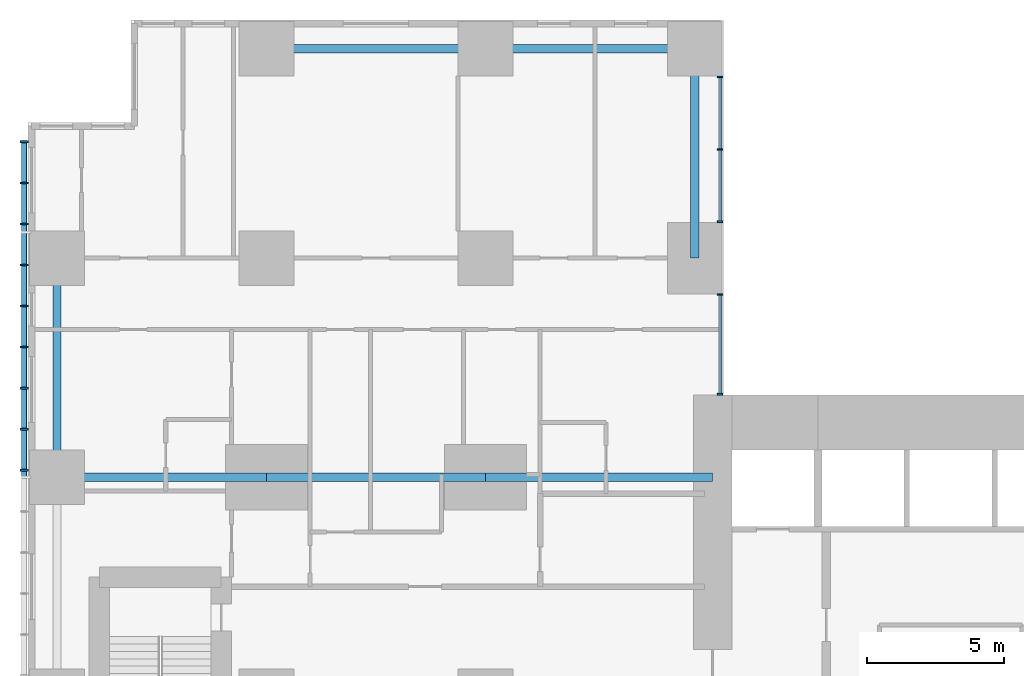
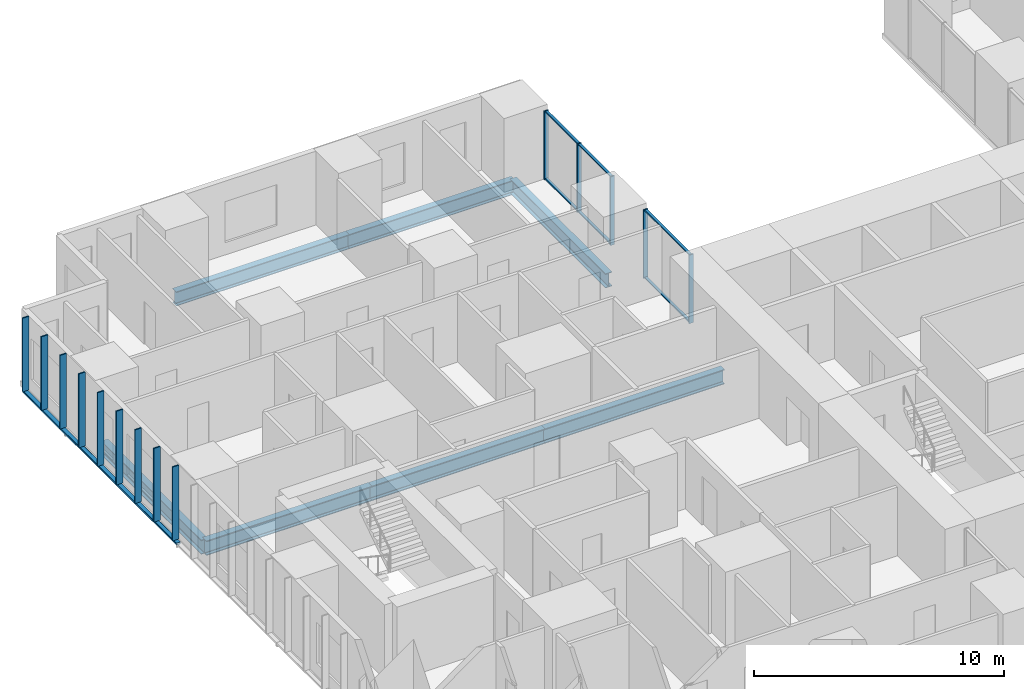
# One storey, part 4 of 20: 21 members, 7 beams, 2 elements without a shape of their own.
"""IFC4 building model written with IfcOpenShell, lengths in metres."""

import ifcopenshell
import ifcopenshell.guid

model = None  # the IFC model being written
_history = None  # IfcOwnerHistory: only IFC2X3 demands one
_inside = {}  # id of a spatial element -> (the spatial element, [elements in it])
_under = {}  # id of a project, library or spatial element -> (it, [spatial elements below it])
_declared = {}  # id of a project -> (the project, [libraries it declares])
_typed = {}  # id of a type object -> (the type object, [elements of that type])
_made_of = {}  # id of a material, layer set ... -> (it, [elements and type objects made of it])


def new_model(schema):
    """Start an empty IFC model of exactly this schema.

    Asked for "IFC4X3", IfcOpenShell would pick the latest addendum, in which some entities
    have other attributes; the version numbers below select the first issue.
    IFC2X3 requires an IfcOwnerHistory on every rooted entity: one is made here for all.
    """
    global model, _history
    if schema == "IFC4X3":
        model = ifcopenshell.file(schema_version=(4, 3, 0, 0))
    else:
        model = ifcopenshell.file(schema=schema)
    _inside.clear()
    _under.clear()
    _declared.clear()
    _typed.clear()
    _made_of.clear()
    _history = None
    if model.schema == "IFC2X3":
        org = make("IfcOrganization", Name="unknown")
        user = make(
            "IfcPersonAndOrganization",
            ThePerson=make("IfcPerson", FamilyName="unknown"),
            TheOrganization=org,
        )
        app = make(
            "IfcApplication",
            ApplicationDeveloper=org,
            Version="unknown",
            ApplicationFullName="unknown",
            ApplicationIdentifier="unknown",
        )
        _history = make(
            "IfcOwnerHistory",
            OwningUser=user,
            OwningApplication=app,
            ChangeAction="ADDED",
            CreationDate=0,
        )
    return model


def make(cls, **values):
    """One entity of the class cls with the attributes given. An attribute that is None is left unset."""
    return model.create_entity(
        cls, **{name: value for name, value in values.items() if value is not None}
    )


def rooted(cls, **values):
    """An entity with a GlobalId (a new one), such as an element, a storey or a relation."""
    return make(cls, GlobalId=ifcopenshell.guid.new(), OwnerHistory=_history, **values)


def si_unit(unit_type, name, prefix=None):
    """IfcSIUnit, for example si_unit("LENGTHUNIT", "METRE", prefix="MILLI")."""
    return make("IfcSIUnit", UnitType=unit_type, Prefix=prefix, Name=name)


def assignment(units):
    """IfcUnitAssignment: the units of a project."""
    return None if units is None else make("IfcUnitAssignment", Units=units)


def point(xyz):
    """IfcCartesianPoint."""
    return None if xyz is None else make("IfcCartesianPoint", Coordinates=xyz)


def direction(xyz):
    """IfcDirection."""
    return None if xyz is None else make("IfcDirection", DirectionRatios=xyz)


def frame(location, z_axis=None, x_axis=None):
    """IfcAxis2Placement3D, a coordinate frame: its origin and axes. An axis left out is left unset."""
    return make(
        "IfcAxis2Placement3D",
        Location=point(location),
        Axis=direction(z_axis),
        RefDirection=direction(x_axis),
    )


def frame_2d(location, x_axis=None):
    """IfcAxis2Placement2D, a coordinate frame in the plane: its origin and x axis."""
    return make(
        "IfcAxis2Placement2D", Location=point(location), RefDirection=direction(x_axis)
    )


def origin():
    """The frame at (0, 0, 0) with its axes left unset."""
    return frame((0.0, 0.0, 0.0))


def origin_2d():
    """The frame at (0, 0) in the plane with its x axis left unset."""
    return frame_2d((0.0, 0.0))


def place(relative_to, where):
    """IfcLocalPlacement: puts the frame where relative to a parent placement (None: the world)."""
    return make(
        "IfcLocalPlacement", PlacementRelTo=relative_to, RelativePlacement=where
    )


def context(
    kind, dimensions, precision=None, world=None, true_north=None, identifier=None
):
    """IfcGeometricRepresentationContext, for example the 3D "Model" context."""
    return make(
        "IfcGeometricRepresentationContext",
        ContextIdentifier=identifier,
        ContextType=kind,
        CoordinateSpaceDimension=dimensions,
        Precision=precision,
        WorldCoordinateSystem=world,
        TrueNorth=true_north,
    )


def subcontext(parent, identifier, kind, view, scale=None):
    """IfcGeometricRepresentationSubContext, for example "Body" below "Model"."""
    return make(
        "IfcGeometricRepresentationSubContext",
        ContextIdentifier=identifier,
        ContextType=kind,
        ParentContext=parent,
        TargetScale=scale,
        TargetView=view,
    )


def project(units=None, contexts=None):
    """IfcProject with its units and contexts."""
    return rooted(
        "IfcProject",
        Name="project",
        RepresentationContexts=contexts,
        UnitsInContext=assignment(units),
    )


def spatial(cls, under=None, at=None, **own):
    """A site, building, storey or space (cls), placed at a placement, below another one or the project."""
    s = rooted(cls, ObjectPlacement=at, **own)
    if under is not None:
        _under.setdefault(under.id(), (under, []))[1].append(s)
    return s


def profile(cls, at=None, kind="AREA", **sizes):
    """A parametric profile (cls). Its sizes go by their IFC names, for example OverallWidth=200.0."""
    return make(cls, ProfileType=kind, Position=at, **sizes)


def rectangle(**sizes):
    """IfcRectangleProfileDef."""
    return profile("IfcRectangleProfileDef", **sizes)


def hollow_rectangle(**sizes):
    """IfcRectangleHollowProfileDef."""
    return profile("IfcRectangleHollowProfileDef", **sizes)


def i_section(**sizes):
    """IfcIShapeProfileDef."""
    return profile("IfcIShapeProfileDef", **sizes)


def extrude(swept, where, along, depth):
    """IfcExtrudedAreaSolid: the profile swept, set in the frame where, extruded along a direction by depth."""
    return make(
        "IfcExtrudedAreaSolid",
        SweptArea=swept,
        Position=where,
        ExtrudedDirection=direction(along),
        Depth=depth,
    )


def shape(context_of_items, identifier, shape_type, items):
    """IfcShapeRepresentation: the items that make up one representation, for example the "Body"."""
    return make(
        "IfcShapeRepresentation",
        ContextOfItems=context_of_items,
        RepresentationIdentifier=identifier,
        RepresentationType=shape_type,
        Items=items,
    )


def material(Name=None, Category=None):
    """IfcMaterial."""
    return make("IfcMaterial", Name=Name, Category=Category)


def layer(
    of_material, thickness, ventilated=None, Name=None, Category=None, Priority=None
):
    """IfcMaterialLayer: one layer of a wall or slab, of a material (None: an air gap)."""
    return make(
        "IfcMaterialLayer",
        Material=of_material,
        LayerThickness=thickness,
        IsVentilated=ventilated,
        Name=Name,
        Category=Category,
        Priority=Priority,
    )


def layer_set(layers, Name=None):
    """IfcMaterialLayerSet."""
    return make("IfcMaterialLayerSet", MaterialLayers=layers, LayerSetName=Name)


def material_profile(
    of_material, cross_section, Name=None, Category=None, Priority=None
):
    """IfcMaterialProfile: a cross section and its material."""
    return make(
        "IfcMaterialProfile",
        Name=Name,
        Material=of_material,
        Profile=cross_section,
        Priority=Priority,
        Category=Category,
    )


def profile_set(profiles, Name=None, composite=None):
    """IfcMaterialProfileSet."""
    return make(
        "IfcMaterialProfileSet",
        Name=Name,
        MaterialProfiles=profiles,
        CompositeProfile=composite,
    )


def made_of(thing, what):
    """Note that an element or type object is made of a material, layer set ...; save() writes the relation."""
    if what is not None:
        _made_of.setdefault(what.id(), (what, []))[1].append(thing)
    return thing


def type_object(cls, material=None, **own):
    """A type object (cls), such as IfcWallType, which elements share."""
    return made_of(rooted(cls, **own), material)


def element(
    cls,
    number,
    at=None,
    inside=None,
    cuts=None,
    type_object=None,
    material=None,
    context=None,
    identifier="Body",
    shape_type=None,
    held_by="IfcProductDefinitionShape",
    body=None,
    shapes=None,
    **own,
):
    """One element of the class cls, such as IfcWall. Its Tag is "e" and its number.

    at: its placement. inside: the storey or other place that contains it. cuts: it is an
    opening in that element (IfcRelVoidsElement). A single representation is given by context,
    identifier, shape_type and body (its items); several are given by shapes. held_by: the class
    of the entity that holds the representations. save() writes the other relations.
    """
    e = rooted(cls, Tag="e%d" % number, ObjectPlacement=at, **own)
    if body is not None:
        shapes = [shape(context, identifier, shape_type, body)]
    if shapes is not None:
        e.Representation = make(held_by, Representations=shapes)
    if inside is not None:
        _inside.setdefault(inside.id(), (inside, []))[1].append(e)
    if cuts is not None:
        rooted(
            "IfcRelVoidsElement", RelatingBuildingElement=cuts, RelatedOpeningElement=e
        )
    if type_object is not None:
        _typed.setdefault(type_object.id(), (type_object, []))[1].append(e)
    return made_of(e, material)


def aggregate(whole, parts):
    """IfcRelAggregates: a whole, such as a stair, and the parts it consists of."""
    return rooted("IfcRelAggregates", RelatingObject=whole, RelatedObjects=parts)


def save(model, path):
    """Write the relations noted so far, then the file.

    IfcRelAggregates (storeys below a building ...), IfcRelContainedInSpatialStructure (elements
    in a storey), IfcRelDefinesByType, IfcRelAssociatesMaterial and IfcRelDeclares: one each for
    every whole, place, type object, material and project.
    """
    for whole, parts in _under.values():
        aggregate(whole, parts)
    for where, things in _inside.values():
        rooted(
            "IfcRelContainedInSpatialStructure",
            RelatedElements=things,
            RelatingStructure=where,
        )
    for kind, things in _typed.values():
        rooted("IfcRelDefinesByType", RelatedObjects=things, RelatingType=kind)
    for what, things in _made_of.values():
        rooted("IfcRelAssociatesMaterial", RelatedObjects=things, RelatingMaterial=what)
    for by, libraries in _declared.values():
        rooted("IfcRelDeclares", RelatingContext=by, RelatedDefinitions=libraries)
    model.write(path)


model = new_model("IFC4")

# Units and contexts
model_context = context("Model", 3, precision=1e-05, world=origin(), true_north=direction((0.0, 1.0)))
body_context = subcontext(model_context, "Body", "Model", "MODEL_VIEW")
ifc_project = project(units=[si_unit("LENGTHUNIT", "METRE"), si_unit("AREAUNIT", "SQUARE_METRE"), si_unit("VOLUMEUNIT", "CUBIC_METRE"), si_unit("PLANEANGLEUNIT", "RADIAN"), si_unit("MASSUNIT", "GRAM", prefix="KILO")], contexts=[model_context])

# Site, building, storey
site_placement = place(None, origin())
site = spatial("IfcSite", under=ifc_project, at=site_placement, CompositionType="ELEMENT")
building_placement = place(site_placement, origin())
building = spatial("IfcBuilding", under=site, at=building_placement, Name="Cleftline Residences", CompositionType="ELEMENT")
storey_placement = place(building_placement, frame((0.0, 0.0, 62.0)))
storey = spatial("IfcBuildingStorey", under=building, at=storey_placement, Name="L15", CompositionType="ELEMENT", Elevation=62.0)

# Member
ifc_material_1 = material(Name="Steel S355, hot-dip galvanised", Category="steel")
ifc_material_profile_1 = material_profile(ifc_material_1, hollow_rectangle(XDim=0.10009765625, YDim=0.199951171875, WallThickness=0.008056640625, InnerFilletRadius=0.008056640625, OuterFilletRadius=0.011962890625, at=origin_2d()))
ifc_profile_set_1 = profile_set([ifc_material_profile_1], Name="Steel S355, hot-dip galvanised")
member_type_1 = type_object("IfcMemberType", Name="BAGUETTE CARRIER RHS 200X100X8", PredefinedType="USERDEFINED", material=ifc_profile_set_1)
member_1_placement = place(storey_placement, frame((-0.85009765625, 44.300048828125, -0.050048828125), z_axis=(0.0, -1.0, 0.0), x_axis=(0.0, 0.0, 1.0)))
element("IfcMember", 1, at=member_1_placement, inside=storey, type_object=member_type_1, Name="Baguette carrier", ObjectType="BAGUETTE CARRIER", PredefinedType="USERDEFINED", context=body_context, shape_type="SweptSolid", body=[
    extrude(hollow_rectangle(XDim=0.10009765625, YDim=0.199951171875, WallThickness=0.008056640625, InnerFilletRadius=0.008056640625, OuterFilletRadius=0.011962890625, at=origin_2d()), origin(), (0.0, 0.0, 1.0), 12.300048828125),
])

# Beams
ifc_material_2 = material(Name="Steel S355", Category="steel")
ifc_material_profile_2 = material_profile(ifc_material_2, i_section(OverallWidth=0.300048828125, OverallDepth=0.699951171875, WebThickness=0.01708984375, FlangeThickness=0.031982421875, FilletRadius=0.027099609375, at=origin_2d()))
ifc_profile_set_2 = profile_set([ifc_material_profile_2], Name="Steel S355")
beam_type_1 = type_object("IfcBeamType", Name="BEAM HEB 700", PredefinedType="BEAM", material=ifc_profile_set_2)
for number, where, z_axis, x_axis, name in (
    (2, (0.35009765625, 32.0, -0.60009765625), (0.0, 1.0, 0.0), (-1.0, 0.0, 0.0), "Edge beam"),
    (3, (8.0, 47.64990234375, -0.60009765625), (1.0, 0.0, 0.0), (0.0, 1.0, 0.0), "Edge beam"),
):
    element("IfcBeam", number, at=place(storey_placement, frame(where, z_axis=z_axis, x_axis=x_axis)), inside=storey, type_object=beam_type_1, Name=name, PredefinedType="BEAM", context=body_context, shape_type="SweptSolid", body=[
        extrude(i_section(OverallWidth=0.300048828125, OverallDepth=0.699951171875, WebThickness=0.01708984375, FlangeThickness=0.031982421875, FilletRadius=0.027099609375, at=origin_2d()), origin(), (0.0, 0.0, 1.0), 8.0),
    ])
for number, where, z_axis, x_axis, name in (
    (4, (16.0, 47.64990234375, -0.60009765625), (1.0, 0.0, 0.0), (0.0, 1.0, 0.0), "Edge beam"),
    (5, (23.64990234375, 47.64990234375, -0.60009765625), (0.0, -1.0, 0.0), (1.0, 0.0, 0.0), "Edge beam"),
):
    element("IfcBeam", number, at=place(storey_placement, frame(where, z_axis=z_axis, x_axis=x_axis)), inside=storey, type_object=beam_type_1, Name=name, PredefinedType="BEAM", context=body_context, shape_type="SweptSolid", body=[
        extrude(i_section(OverallWidth=0.300048828125, OverallDepth=0.699951171875, WebThickness=0.01708984375, FlangeThickness=0.031982421875, FilletRadius=0.027099609375, at=origin_2d()), origin(), (0.0, 0.0, 1.0), 7.64990234375),
    ])
ifc_material_3 = material(Name="Steel S355", Category="steel")
ifc_material_profile_3 = material_profile(ifc_material_3, i_section(OverallWidth=0.303955078125, OverallDepth=0.716064453125, WebThickness=0.02099609375, FlangeThickness=0.0400390625, FilletRadius=0.027099609375, at=origin_2d()))
ifc_profile_set_3 = profile_set([ifc_material_profile_3], Name="Steel S355")
beam_type_2 = type_object("IfcBeamType", Name="BEAM HEM 700", PredefinedType="BEAM", material=ifc_profile_set_3)
beam_1_placement = place(storey_placement, frame((0.35009765625, 32.0, -0.60791015625), z_axis=(1.0, 0.0, 0.0), x_axis=(0.0, 1.0, 0.0)))
element("IfcBeam", 6, at=beam_1_placement, inside=storey, type_object=beam_type_2, Name="Band beam", PredefinedType="BEAM", context=body_context, shape_type="SweptSolid", body=[
    extrude(i_section(OverallWidth=0.303955078125, OverallDepth=0.716064453125, WebThickness=0.02099609375, FlangeThickness=0.0400390625, FilletRadius=0.027099609375, at=origin_2d()), origin(), (0.0, 0.0, 1.0), 7.64990234375),
])
beam_2_placement = place(storey_placement, frame((8.0, 32.0, -0.60791015625), z_axis=(1.0, 0.0, 0.0), x_axis=(0.0, 1.0, 0.0)))
element("IfcBeam", 7, at=beam_2_placement, inside=storey, type_object=beam_type_2, Name="Band beam", PredefinedType="BEAM", context=body_context, shape_type="SweptSolid", body=[
    extrude(i_section(OverallWidth=0.303955078125, OverallDepth=0.716064453125, WebThickness=0.02099609375, FlangeThickness=0.0400390625, FilletRadius=0.027099609375, at=origin_2d()), origin(), (0.0, 0.0, 1.0), 8.0),
])
beam_3_placement = place(storey_placement, frame((16.0, 32.0, -0.60791015625), z_axis=(1.0, 0.0, 0.0), x_axis=(0.0, 1.0, 0.0)))
element("IfcBeam", 8, at=beam_3_placement, inside=storey, type_object=beam_type_2, Name="Band beam", PredefinedType="BEAM", context=body_context, shape_type="SweptSolid", body=[
    extrude(i_section(OverallWidth=0.303955078125, OverallDepth=0.716064453125, WebThickness=0.02099609375, FlangeThickness=0.0400390625, FilletRadius=0.027099609375, at=origin_2d()), origin(), (0.0, 0.0, 1.0), 8.300048828125),
])

# Curtain wall, members
ifc_material_4 = material(Name="Aluminium framed curtain wall", Category="aluminium")
ifc_layer = layer(ifc_material_4, 0.199951171875)
ifc_layer_set = layer_set([ifc_layer], Name="CW1 CLEFT GLAZING")
curtain_wall_type = type_object("IfcCurtainWallType", Name="CW1 CLEFT GLAZING", PredefinedType="NOTDEFINED", material=ifc_layer_set)
curtain_wall_1_placement = place(storey_placement, origin())
curtain_wall_1 = element("IfcCurtainWall", 9, at=curtain_wall_1_placement, inside=storey, type_object=curtain_wall_type, Name="Curtain wall CW1", PredefinedType="NOTDEFINED")
ifc_material_5 = material(Name="Aluminium mullion", Category="aluminium")
ifc_material_profile_4 = material_profile(ifc_material_5, rectangle(XDim=0.199951171875, YDim=0.06005859375, at=origin_2d()))
ifc_profile_set_4 = profile_set([ifc_material_profile_4], Name="Aluminium mullion")
member_type_2 = type_object("IfcMemberType", Name="CW1 MULLION", PredefinedType="MULLION", material=ifc_profile_set_4)
member_2_placement = place(storey_placement, frame((24.574951171875, 35.030029296875, 0.0), z_axis=(0.0, 0.0, 1.0), x_axis=(-1.0, 0.0, 0.0)))
member_2 = element("IfcMember", 10, at=member_2_placement, type_object=member_type_2, Name="CW1 mullion 1", PredefinedType="MULLION", context=body_context, shape_type="SweptSolid", body=[
    extrude(rectangle(XDim=0.199951171875, YDim=0.06005859375, at=origin_2d()), origin(), (0.0, 0.0, 1.0), 3.35009765625),
])
member_3_placement = place(storey_placement, frame((24.574951171875, 38.669921875, 0.0), z_axis=(0.0, 0.0, 1.0), x_axis=(-1.0, 0.0, 0.0)))
member_3 = element("IfcMember", 11, at=member_3_placement, type_object=member_type_2, Name="CW1 mullion 2", PredefinedType="MULLION", context=body_context, shape_type="SweptSolid", body=[
    extrude(rectangle(XDim=0.199951171875, YDim=0.06005859375, at=origin_2d()), origin(), (0.0, 0.0, 1.0), 3.35009765625),
])

curtain_wall_2_placement = place(storey_placement, origin())
curtain_wall_2 = element("IfcCurtainWall", 12, at=curtain_wall_2_placement, inside=storey, type_object=curtain_wall_type, Name="Curtain wall CW1", PredefinedType="NOTDEFINED")
member_4_placement = place(storey_placement, frame((24.574951171875, 41.330078125, 0.0), z_axis=(0.0, 0.0, 1.0), x_axis=(-1.0, 0.0, 0.0)))
member_4 = element("IfcMember", 13, at=member_4_placement, type_object=member_type_2, Name="CW1 mullion 1", PredefinedType="MULLION", context=body_context, shape_type="SweptSolid", body=[
    extrude(rectangle(XDim=0.199951171875, YDim=0.06005859375, at=origin_2d()), origin(), (0.0, 0.0, 1.0), 3.35009765625),
])
member_5_placement = place(storey_placement, frame((24.574951171875, 43.97509765625, 0.0), z_axis=(0.0, 0.0, 1.0), x_axis=(-1.0, 0.0, 0.0)))
member_5 = element("IfcMember", 14, at=member_5_placement, type_object=member_type_2, Name="CW1 mullion 2", PredefinedType="MULLION", context=body_context, shape_type="SweptSolid", body=[
    extrude(rectangle(XDim=0.199951171875, YDim=0.06005859375, at=origin_2d()), origin(), (0.0, 0.0, 1.0), 3.35009765625),
])
member_6_placement = place(storey_placement, frame((24.574951171875, 46.6201171875, 0.0), z_axis=(0.0, 0.0, 1.0), x_axis=(-1.0, 0.0, 0.0)))
member_6 = element("IfcMember", 15, at=member_6_placement, type_object=member_type_2, Name="CW1 mullion 3", PredefinedType="MULLION", context=body_context, shape_type="SweptSolid", body=[
    extrude(rectangle(XDim=0.199951171875, YDim=0.06005859375, at=origin_2d()), origin(), (0.0, 0.0, 1.0), 3.35009765625),
])

# Member
ifc_material_6 = material(Name="Aluminium transom", Category="aluminium")
ifc_material_profile_5 = material_profile(ifc_material_6, rectangle(XDim=0.1201171875, YDim=0.06005859375, at=origin_2d()))
ifc_profile_set_5 = profile_set([ifc_material_profile_5], Name="Aluminium transom")
member_type_3 = type_object("IfcMemberType", Name="CW1 TRANSOM", PredefinedType="USERDEFINED", material=ifc_profile_set_5)
member_7_placement = place(storey_placement, frame((24.574951171875, 35.06005859375, 0.030029296875), z_axis=(0.0, 1.0, 0.0), x_axis=(-1.0, 0.0, 0.0)))
member_7 = element("IfcMember", 16, at=member_7_placement, type_object=member_type_3, Name="CW1 transom 1.1", ObjectType="TRANSOM", PredefinedType="USERDEFINED", context=body_context, shape_type="SweptSolid", body=[
    extrude(rectangle(XDim=0.1201171875, YDim=0.06005859375, at=origin_2d()), origin(), (0.0, 0.0, 1.0), 3.579833984375),
])

member_8_placement = place(storey_placement, frame((24.574951171875, 35.06005859375, 3.320068359375), z_axis=(0.0, 1.0, 0.0), x_axis=(-1.0, 0.0, 0.0)))
member_8 = element("IfcMember", 17, at=member_8_placement, type_object=member_type_3, Name="CW1 transom 1.2", ObjectType="TRANSOM", PredefinedType="USERDEFINED", context=body_context, shape_type="SweptSolid", body=[
    extrude(rectangle(XDim=0.1201171875, YDim=0.06005859375, at=origin_2d()), origin(), (0.0, 0.0, 1.0), 3.579833984375),
])

aggregate(curtain_wall_1, [member_2, member_3, member_7, member_8])

member_9_placement = place(storey_placement, frame((24.574951171875, 41.360107421875, 0.030029296875), z_axis=(0.0, 1.0, 0.0), x_axis=(-1.0, 0.0, 0.0)))
member_9 = element("IfcMember", 18, at=member_9_placement, type_object=member_type_3, Name="CW1 transom 1.1", ObjectType="TRANSOM", PredefinedType="USERDEFINED", context=body_context, shape_type="SweptSolid", body=[
    extrude(rectangle(XDim=0.1201171875, YDim=0.06005859375, at=origin_2d()), origin(), (0.0, 0.0, 1.0), 2.5849609375),
])

member_10_placement = place(storey_placement, frame((24.574951171875, 41.360107421875, 3.320068359375), z_axis=(0.0, 1.0, 0.0), x_axis=(-1.0, 0.0, 0.0)))
member_10 = element("IfcMember", 19, at=member_10_placement, type_object=member_type_3, Name="CW1 transom 1.2", ObjectType="TRANSOM", PredefinedType="USERDEFINED", context=body_context, shape_type="SweptSolid", body=[
    extrude(rectangle(XDim=0.1201171875, YDim=0.06005859375, at=origin_2d()), origin(), (0.0, 0.0, 1.0), 2.5849609375),
])

member_11_placement = place(storey_placement, frame((24.574951171875, 44.0048828125, 0.030029296875), z_axis=(0.0, 1.0, 0.0), x_axis=(-1.0, 0.0, 0.0)))
member_11 = element("IfcMember", 20, at=member_11_placement, type_object=member_type_3, Name="CW1 transom 2.1", ObjectType="TRANSOM", PredefinedType="USERDEFINED", context=body_context, shape_type="SweptSolid", body=[
    extrude(rectangle(XDim=0.1201171875, YDim=0.06005859375, at=origin_2d()), origin(), (0.0, 0.0, 1.0), 2.585205078125),
])

member_12_placement = place(storey_placement, frame((24.574951171875, 44.0048828125, 3.320068359375), z_axis=(0.0, 1.0, 0.0), x_axis=(-1.0, 0.0, 0.0)))
member_12 = element("IfcMember", 21, at=member_12_placement, type_object=member_type_3, Name="CW1 transom 2.2", ObjectType="TRANSOM", PredefinedType="USERDEFINED", context=body_context, shape_type="SweptSolid", body=[
    extrude(rectangle(XDim=0.1201171875, YDim=0.06005859375, at=origin_2d()), origin(), (0.0, 0.0, 1.0), 2.585205078125),
])

aggregate(curtain_wall_2, [member_4, member_5, member_6, member_9, member_10, member_11, member_12])

# Members
ifc_material_7 = material(Name="Extruded terracotta", Category="masonry")
ifc_material_profile_6 = material_profile(ifc_material_7, rectangle(XDim=0.06005859375, YDim=0.300048828125, at=origin_2d()))
ifc_profile_set_6 = profile_set([ifc_material_profile_6], Name="Extruded terracotta")
member_type_4 = type_object("IfcMemberType", Name="TERRACOTTA BAGUETTE 60X300", PredefinedType="USERDEFINED", material=ifc_profile_set_6)
for number, where, z_axis, x_axis, name in (
    (22, (-0.85009765625, 44.25, 0.0), (0.0, 0.0, 1.0), (0.0, 1.0, 0.0), "Terracotta baguette"),
    (23, (-0.85009765625, 42.75, 0.0), (0.0, 0.0, 1.0), (0.0, 1.0, 0.0), "Terracotta baguette"),
    (24, (-0.85009765625, 41.25, 0.0), (0.0, 0.0, 1.0), (0.0, 1.0, 0.0), "Terracotta baguette"),
    (25, (-0.85009765625, 39.75, 0.0), (0.0, 0.0, 1.0), (0.0, 1.0, 0.0), "Terracotta baguette"),
    (26, (-0.85009765625, 38.25, 0.0), (0.0, 0.0, 1.0), (0.0, 1.0, 0.0), "Terracotta baguette"),
    (27, (-0.85009765625, 36.75, 0.0), (0.0, 0.0, 1.0), (0.0, 1.0, 0.0), "Terracotta baguette"),
    (28, (-0.85009765625, 35.25, 0.0), (0.0, 0.0, 1.0), (0.0, 1.0, 0.0), "Terracotta baguette"),
    (29, (-0.85009765625, 33.75, 0.0), (0.0, 0.0, 1.0), (0.0, 1.0, 0.0), "Terracotta baguette"),
    (30, (-0.85009765625, 32.25, 0.0), (0.0, 0.0, 1.0), (0.0, 1.0, 0.0), "Terracotta baguette"),
):
    element("IfcMember", number, at=place(storey_placement, frame(where, z_axis=z_axis, x_axis=x_axis)), inside=storey, type_object=member_type_4, Name=name, ObjectType="BAGUETTE", PredefinedType="USERDEFINED", context=body_context, shape_type="SweptSolid", body=[
        extrude(rectangle(XDim=0.06005859375, YDim=0.300048828125, at=origin_2d()), origin(), (0.0, 0.0, 1.0), 3.60009765625),
    ])

save(model, "model.ifc")
